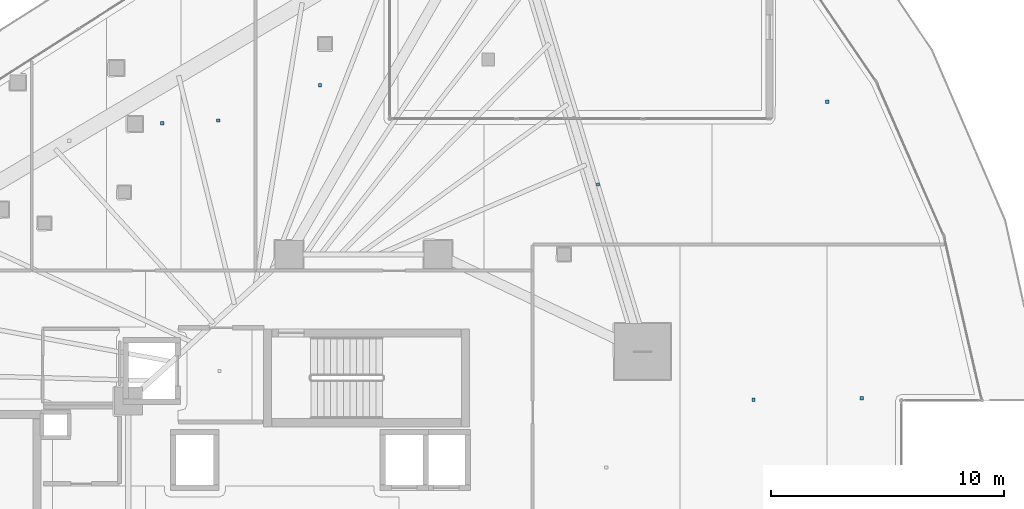
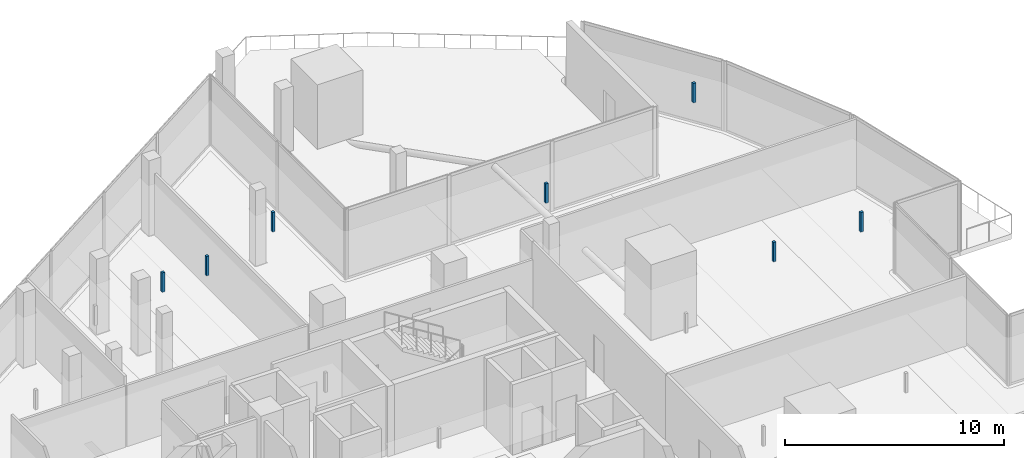
# One storey, part 34 of 44: 7 discrete accessories.
"""IFC4 building model written with IfcOpenShell, lengths in metres."""

from ifc_helpers import new_model, si_unit, direction, frame, origin, origin_2d, place, context, subcontext, project, spatial, rectangle, extrude, material, type_object, element, save


model = new_model("IFC4")

# Units and contexts
model_context = context("Model", 3, precision=1e-05, world=origin(), true_north=direction((0.0, 1.0)))
body_context = subcontext(model_context, "Body", "Model", "MODEL_VIEW")
ifc_project = project(units=[si_unit("LENGTHUNIT", "METRE"), si_unit("AREAUNIT", "SQUARE_METRE"), si_unit("VOLUMEUNIT", "CUBIC_METRE"), si_unit("PLANEANGLEUNIT", "RADIAN"), si_unit("MASSUNIT", "GRAM", prefix="KILO")], contexts=[model_context])

# Site, building, storey
site_placement = place(None, origin())
site = spatial("IfcSite", under=ifc_project, at=site_placement, CompositionType="ELEMENT")
building_placement = place(site_placement, origin())
building = spatial("IfcBuilding", under=site, at=building_placement, Name="Qorvath Tower", CompositionType="ELEMENT")
storey_placement = place(building_placement, frame((0.0, 0.0, 78.60009765625)))
storey = spatial("IfcBuildingStorey", under=building, at=storey_placement, Name="L17", CompositionType="ELEMENT", Elevation=78.60009765625)

# Discrete accessories
ifc_material = material(Name="Galvanised steel bracket", Category="steel")
discrete_accessory_type = type_object("IfcDiscreteAccessoryType", Name="DA-BRACKET", PredefinedType="BRACKET", material=ifc_material)
for number, where, z_axis, x_axis, name in (
    (1, (-29.049072265625, 17.080810546875, 2.85986328125), (0.0, 0.0, 1.0), (1.0, 0.0, 0.0), "Acoustic Ceiling Suspension Hanger T1-L17-011"),
    (2, (-26.639892578125, 17.201416015625, 2.85986328125), (0.0, 0.0, 1.0), (1.0, 0.0, 0.0), "Acoustic Ceiling Suspension Hanger T1-L17-012"),
    (3, (-22.27783203125, 18.719970703125, 2.85986328125), (0.0, 0.0, 1.0), (1.0, 0.0, 0.0), "Acoustic Ceiling Suspension Hanger T1-L17-013"),
    (4, (-10.331787109375, 14.456298828125, 2.85986328125), (0.0, 0.0, 1.0), (1.0, 0.0, 0.0), "Acoustic Ceiling Suspension Hanger T1-L17-014"),
    (5, (-0.492919921875, 18.0107421875, 2.85986328125), (0.0, 0.0, 1.0), (1.0, 0.0, 0.0), "Acoustic Ceiling Suspension Hanger T1-L17-015"),
    (6, (-3.65283203125, 5.216064453125, 2.85986328125), (0.0, 0.0, 1.0), (1.0, 0.0, 0.0), "Acoustic Ceiling Suspension Hanger T1-L17-035"),
    (7, (0.99365234375, 5.274658203125, 2.85986328125), (0.0, 0.0, 1.0), (1.0, 0.0, 0.0), "Acoustic Ceiling Suspension Hanger T1-L17-036"),
):
    element("IfcDiscreteAccessory", number, at=place(storey_placement, frame(where, z_axis=z_axis, x_axis=x_axis)), inside=storey, type_object=discrete_accessory_type, Name=name, PredefinedType="NOTDEFINED", context=body_context, shape_type="SweptSolid", body=[
        extrude(rectangle(XDim=0.139892578125, YDim=0.139892578125, at=origin_2d()), origin(), (0.0, 0.0, 1.0), 1.090087890625),
    ])

save(model, "model.ifc")
